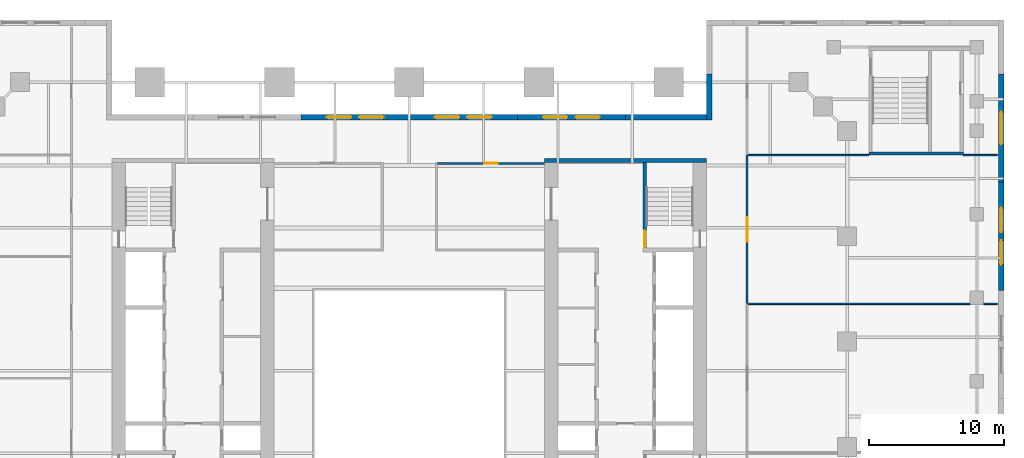
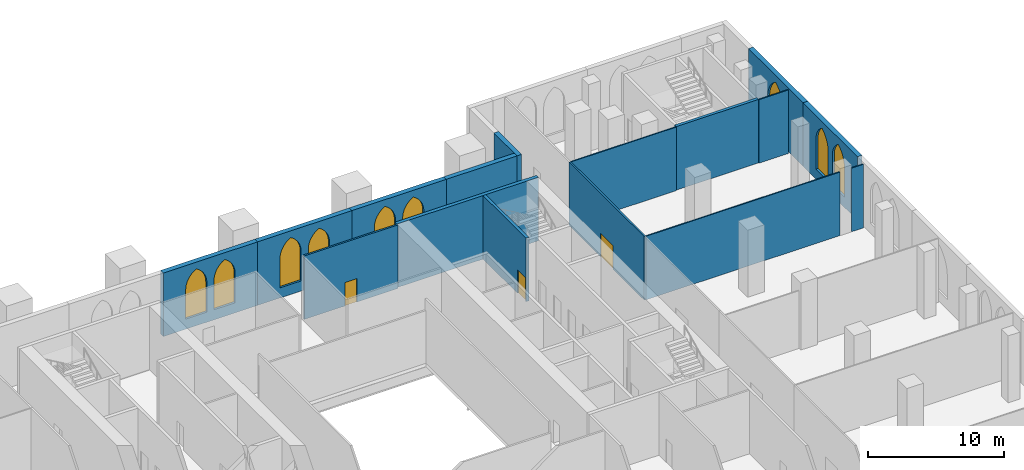
# One storey, part 16 of 21: 16 walls, 9 windows, 3 doors, 12 openings.
"""IFC4 building model written with IfcOpenShell, lengths in metres."""

from ifc_helpers import new_model, si_unit, direction, frame, frame_2d, origin, place, context, subcontext, project, spatial, polyline, rectangle, outline, extrude, material, layer, layer_set, type_object, element, fill, save


model = new_model("IFC4")

# Units and contexts
model_context = context("Model", 3, precision=1e-05, world=origin(), true_north=direction((0.0, 1.0)))
body_context = subcontext(model_context, "Body", "Model", "MODEL_VIEW")
ifc_project = project(units=[si_unit("LENGTHUNIT", "METRE"), si_unit("AREAUNIT", "SQUARE_METRE"), si_unit("VOLUMEUNIT", "CUBIC_METRE"), si_unit("PLANEANGLEUNIT", "RADIAN"), si_unit("MASSUNIT", "GRAM", prefix="KILO")], contexts=[model_context])

# Site, building, storey
site_placement = place(None, origin())
site = spatial("IfcSite", under=ifc_project, at=site_placement, CompositionType="ELEMENT")
building_placement = place(site_placement, origin())
building = spatial("IfcBuilding", under=site, at=building_placement, Name="Ogive Exchange Tower", CompositionType="ELEMENT")
storey_placement = place(building_placement, frame((0.0, 0.0, 8.0)))
storey = spatial("IfcBuildingStorey", under=building, at=storey_placement, Name="L01", CompositionType="ELEMENT", Elevation=8.0)

# Wall, opening, door
ifc_material_1 = material(Name="Fire partition EI 60 150")
ifc_layer_1 = layer(ifc_material_1, 0.14990234375)
ifc_layer_set_1 = layer_set([ifc_layer_1], Name="Fire partition EI 60 150")
wall_type_1 = type_object("IfcWallType", Name="Fire partition EI 60 150", PredefinedType="PARTITIONING", material=ifc_layer_set_1)
wall_1_placement = place(storey_placement, frame((2.074951171875, 25.39990234375, 0.0), z_axis=(0.0, 0.0, 1.0), x_axis=(1.0, 0.0, 0.0)))
wall_1 = element("IfcWall", 1, at=wall_1_placement, inside=storey, type_object=wall_type_1, Name="L01-PWL-036", PredefinedType="PARTITIONING", context=body_context, shape_type="SweptSolid", body=[
    extrude(rectangle(XDim=7.925048828125, YDim=0.14990234375, at=frame_2d((3.96240234375, 0.0))), origin(), (0.0, 0.0, 1.0), 5.699951171875),
])
opening_1_placement = place(wall_1_placement, frame((3.46240234375, 0.0, 0.0)))
opening_1 = element("IfcOpeningElement", 2, at=opening_1_placement, cuts=wall_1, Name="Opening L01-I25", PredefinedType="OPENING", context=body_context, shape_type="SweptSolid", body=[
    extrude(rectangle(XDim=1.0, YDim=2.10009765625, at=frame_2d((0.5, 1.050048828125))), frame((0.0, 0.0849609375, 0.0), z_axis=(0.0, -1.0, 0.0), x_axis=(1.0, 0.0, 0.0)), (0.0, 0.0, 1.0), 0.169921875),
])
ifc_material_2 = material(Name="Fire door FD 30S 1000 x 2100")
door_type_1 = type_object("IfcDoorType", Name="Fire door FD 30S 1000 x 2100", OperationType="NOTDEFINED", PredefinedType="DOOR", material=ifc_material_2)
door_1_placement = place(opening_1_placement, frame((1.0, 0.0, 0.0), z_axis=(0.0, 0.0, 1.0), x_axis=(-1.0, 0.0, 0.0)))
door_1 = element("IfcDoor", 3, at=door_1_placement, inside=storey, type_object=door_type_1, Name="L01-IDR-025", ObjectType="DT3", OperationType="SINGLE_SWING_LEFT", OverallHeight=2.10009765625, OverallWidth=1.0, PredefinedType="DOOR", context=body_context, shape_type="SweptSolid", body=[
    extrude(rectangle(XDim=1.0, YDim=2.10009765625, at=frame_2d((0.5, 1.050048828125))), frame((0.0, 0.02490234375, 0.0), z_axis=(0.0, -1.0, 0.0), x_axis=(1.0, 0.0, 0.0)), (0.0, 0.0, 1.0), 0.050048828125),
])
fill(opening_1, door_1)

wall_2_placement = place(storey_placement, frame((25.0, 15.0, 0.0), z_axis=(0.0, 0.0, 1.0), x_axis=(0.0, 1.0, 0.0)))
wall_2 = element("IfcWall", 4, at=wall_2_placement, inside=storey, type_object=wall_type_1, Name="L01-PWL-064", PredefinedType="PARTITIONING", context=body_context, shape_type="SweptSolid", body=[
    extrude(rectangle(XDim=11.0, YDim=0.14990234375, at=frame_2d((5.5, 0.0))), origin(), (0.0, 0.0, 1.0), 5.699951171875),
])
opening_2_placement = place(wall_2_placement, frame((4.60009765625, 0.0, 0.0)))
opening_2 = element("IfcOpeningElement", 5, at=opening_2_placement, cuts=wall_2, Name="Opening L01-I13", PredefinedType="OPENING", context=body_context, shape_type="SweptSolid", body=[
    extrude(rectangle(XDim=1.800048828125, YDim=2.10009765625, at=frame_2d((0.89990234375, 1.050048828125))), frame((0.0, 0.0849609375, 0.0), z_axis=(0.0, -1.0, 0.0), x_axis=(1.0, 0.0, 0.0)), (0.0, 0.0, 1.0), 0.169921875),
])
ifc_material_3 = material(Name="Fire door FD 30S 1800 x 2100")
door_type_2 = type_object("IfcDoorType", Name="Fire door FD 30S 1800 x 2100", OperationType="DOUBLE_DOOR_SINGLE_SWING", PredefinedType="DOOR", material=ifc_material_3)
door_2_placement = place(opening_2_placement, frame((1.800048828125, 0.0, 0.0), z_axis=(0.0, 0.0, 1.0), x_axis=(-1.0, 0.0, 0.0)))
door_2 = element("IfcDoor", 6, at=door_2_placement, inside=storey, type_object=door_type_2, Name="L01-IDR-013", ObjectType="DT4", OperationType="SINGLE_SWING_LEFT", OverallHeight=2.10009765625, OverallWidth=1.800048828125, PredefinedType="DOOR", context=body_context, shape_type="SweptSolid", body=[
    extrude(rectangle(XDim=1.800048828125, YDim=2.10009765625, at=frame_2d((0.89990234375, 1.050048828125))), frame((0.0, 0.02490234375, 0.0), z_axis=(0.0, -1.0, 0.0), x_axis=(1.0, 0.0, 0.0)), (0.0, 0.0, 1.0), 0.050048828125),
])
fill(opening_2, door_2)

# Wall, openings, windows
ifc_material_4 = material(Name="Precast concrete C40/50", Category="concrete")
ifc_layer_2 = layer(ifc_material_4, 0.39990234375)
ifc_layer_set_2 = layer_set([ifc_layer_2], Name="Limestone-faced wall 400")
wall_type_2 = type_object("IfcWallType", Name="Limestone-faced wall 400", PredefinedType="STANDARD", material=ifc_layer_set_2)
wall_3_placement = place(storey_placement, frame((43.800048828125, 16.0, 0.0), z_axis=(0.0, 0.0, 1.0), x_axis=(0.0, 1.0, 0.0)))
wall_3 = element("IfcWall", 7, at=wall_3_placement, inside=storey, type_object=wall_type_2, Name="Podium wall E10", PredefinedType="STANDARD", context=body_context, shape_type="SweptSolid", body=[
    extrude(rectangle(XDim=8.0, YDim=0.39990234375, at=frame_2d((4.0, 0.0))), origin(), (0.0, 0.0, 1.0), 5.699951171875),
])
opening_3_placement = place(wall_3_placement, frame((1.89990234375, 0.0, 0.89990234375)))
opening_3 = element("IfcOpeningElement", 8, at=opening_3_placement, cuts=wall_3, Name="Opening WQ420", PredefinedType="OPENING", context=body_context, shape_type="SweptSolid", body=[
    extrude(outline(polyline([(0.0, 0.0), (1.800048828125, 0.0), (1.800048828125, 2.64111328125), (1.78466796875, 2.8759765625), (1.73876953125, 3.10693359375), (1.6630859375, 3.329833984375), (1.558837890625, 3.541015625), (1.427978515625, 3.73681640625), (1.272705078125, 3.913818359375), (1.095703125, 4.069091796875), (0.89990234375, 4.199951171875), (0.704345703125, 4.069091796875), (0.52734375, 3.913818359375), (0.3720703125, 3.73681640625), (0.2412109375, 3.541015625), (0.136962890625, 3.329833984375), (0.061279296875, 3.10693359375), (0.015380859375, 2.8759765625), (0.0, 2.64111328125), (0.0, 0.0)])), frame((0.0, 0.2099609375, 0.0), z_axis=(0.0, -1.0, 0.0), x_axis=(1.0, 0.0, 0.0)), (0.0, 0.0, 1.0), 0.419921875),
])
opening_4_placement = place(wall_3_placement, frame((4.300048828125, 0.0, 0.89990234375)))
opening_4 = element("IfcOpeningElement", 9, at=opening_4_placement, cuts=wall_3, Name="Opening WQ420", PredefinedType="OPENING", context=body_context, shape_type="SweptSolid", body=[
    extrude(outline(polyline([(0.0, 0.0), (1.800048828125, 0.0), (1.800048828125, 2.64111328125), (1.78466796875, 2.8759765625), (1.73876953125, 3.10693359375), (1.6630859375, 3.329833984375), (1.558837890625, 3.541015625), (1.427978515625, 3.73681640625), (1.272705078125, 3.913818359375), (1.095703125, 4.069091796875), (0.89990234375, 4.199951171875), (0.704345703125, 4.069091796875), (0.52734375, 3.913818359375), (0.3720703125, 3.73681640625), (0.2412109375, 3.541015625), (0.136962890625, 3.329833984375), (0.061279296875, 3.10693359375), (0.015380859375, 2.8759765625), (0.0, 2.64111328125), (0.0, 0.0)])), frame((0.0, 0.2099609375, 0.0), z_axis=(0.0, -1.0, 0.0), x_axis=(1.0, 0.0, 0.0)), (0.0, 0.0, 1.0), 0.419921875),
])
ifc_material_5 = material(Name="Clear glass in bronze frame", Category="glass")
window_type_1 = type_object("IfcWindowType", Name="Podium paired lancet 1800 x 4200", PartitioningType="DOUBLE_PANEL_VERTICAL", PredefinedType="WINDOW", material=ifc_material_5)
window_1_placement = place(opening_3_placement, origin())
window_1 = element("IfcWindow", 10, at=window_1_placement, inside=storey, type_object=window_type_1, Name="Podium paired lancet E10.1", OverallHeight=4.199951171875, OverallWidth=1.800048828125, PartitioningType="DOUBLE_PANEL_VERTICAL", PredefinedType="WINDOW", context=body_context, shape_type="SweptSolid", body=[
    extrude(outline(polyline([(0.0, 0.0), (1.800048828125, 0.0), (1.800048828125, 2.64111328125), (1.78466796875, 2.8759765625), (1.73876953125, 3.10693359375), (1.6630859375, 3.329833984375), (1.558837890625, 3.541015625), (1.427978515625, 3.73681640625), (1.272705078125, 3.913818359375), (1.095703125, 4.069091796875), (0.89990234375, 4.199951171875), (0.704345703125, 4.069091796875), (0.52734375, 3.913818359375), (0.3720703125, 3.73681640625), (0.2412109375, 3.541015625), (0.136962890625, 3.329833984375), (0.061279296875, 3.10693359375), (0.015380859375, 2.8759765625), (0.0, 2.64111328125), (0.0, 0.0)])), frame((0.0, 0.030029296875, 0.0), z_axis=(0.0, -1.0, 0.0), x_axis=(1.0, 0.0, 0.0)), (0.0, 0.0, 1.0), 0.06005859375),
])
fill(opening_3, window_1)
window_2_placement = place(opening_4_placement, origin())
window_2 = element("IfcWindow", 11, at=window_2_placement, inside=storey, type_object=window_type_1, Name="Podium paired lancet E10.2", OverallHeight=4.199951171875, OverallWidth=1.800048828125, PartitioningType="DOUBLE_PANEL_VERTICAL", PredefinedType="WINDOW", context=body_context, shape_type="SweptSolid", body=[
    extrude(outline(polyline([(0.0, 0.0), (1.800048828125, 0.0), (1.800048828125, 2.64111328125), (1.78466796875, 2.8759765625), (1.73876953125, 3.10693359375), (1.6630859375, 3.329833984375), (1.558837890625, 3.541015625), (1.427978515625, 3.73681640625), (1.272705078125, 3.913818359375), (1.095703125, 4.069091796875), (0.89990234375, 4.199951171875), (0.704345703125, 4.069091796875), (0.52734375, 3.913818359375), (0.3720703125, 3.73681640625), (0.2412109375, 3.541015625), (0.136962890625, 3.329833984375), (0.061279296875, 3.10693359375), (0.015380859375, 2.8759765625), (0.0, 2.64111328125), (0.0, 0.0)])), frame((0.0, 0.030029296875, 0.0), z_axis=(0.0, -1.0, 0.0), x_axis=(1.0, 0.0, 0.0)), (0.0, 0.0, 1.0), 0.06005859375),
])
fill(opening_4, window_2)

# Wall, opening, window
wall_4_placement = place(storey_placement, frame((43.800048828125, 24.0, 0.0), z_axis=(0.0, 0.0, 1.0), x_axis=(0.0, 1.0, 0.0)))
wall_4 = element("IfcWall", 12, at=wall_4_placement, inside=storey, type_object=wall_type_2, Name="Podium wall E11", PredefinedType="STANDARD", context=body_context, shape_type="SweptSolid", body=[
    extrude(rectangle(XDim=8.0, YDim=0.39990234375, at=frame_2d((4.0, 0.0))), origin(), (0.0, 0.0, 1.0), 5.699951171875),
])
opening_5_placement = place(wall_4_placement, frame((2.800048828125, 0.0, 0.89990234375)))
opening_5 = element("IfcOpeningElement", 13, at=opening_5_placement, cuts=wall_4, Name="Opening WP420", PredefinedType="OPENING", context=body_context, shape_type="SweptSolid", body=[
    extrude(outline(polyline([(0.0, 0.0), (2.39990234375, 0.0), (2.39990234375, 2.12158203125), (2.37939453125, 2.434814453125), (2.318115234375, 2.74267578125), (2.21728515625, 3.0400390625), (2.078369140625, 3.321533203125), (1.904052734375, 3.58251953125), (1.697021484375, 3.818603515625), (1.4609375, 4.025634765625), (1.199951171875, 4.199951171875), (0.93896484375, 4.025634765625), (0.702880859375, 3.818603515625), (0.495849609375, 3.58251953125), (0.321533203125, 3.321533203125), (0.1826171875, 3.0400390625), (0.081787109375, 2.74267578125), (0.0205078125, 2.434814453125), (0.0, 2.12158203125), (0.0, 0.0)])), frame((0.0, 0.2099609375, 0.0), z_axis=(0.0, -1.0, 0.0), x_axis=(1.0, 0.0, 0.0)), (0.0, 0.0, 1.0), 0.419921875),
])
window_type_2 = type_object("IfcWindowType", Name="Podium lancet window 2400 x 4200", PartitioningType="DOUBLE_PANEL_VERTICAL", PredefinedType="WINDOW", material=ifc_material_5)
window_3_placement = place(opening_5_placement, origin())
window_3 = element("IfcWindow", 14, at=window_3_placement, inside=storey, type_object=window_type_2, Name="Podium window E11", OverallHeight=4.199951171875, OverallWidth=2.39990234375, PartitioningType="DOUBLE_PANEL_VERTICAL", PredefinedType="WINDOW", context=body_context, shape_type="SweptSolid", body=[
    extrude(outline(polyline([(0.0, 0.0), (2.39990234375, 0.0), (2.39990234375, 2.12158203125), (2.37939453125, 2.434814453125), (2.318115234375, 2.74267578125), (2.21728515625, 3.0400390625), (2.078369140625, 3.321533203125), (1.904052734375, 3.58251953125), (1.697021484375, 3.818603515625), (1.4609375, 4.025634765625), (1.199951171875, 4.199951171875), (0.93896484375, 4.025634765625), (0.702880859375, 3.818603515625), (0.495849609375, 3.58251953125), (0.321533203125, 3.321533203125), (0.1826171875, 3.0400390625), (0.081787109375, 2.74267578125), (0.0205078125, 2.434814453125), (0.0, 2.12158203125), (0.0, 0.0)])), frame((0.0, 0.030029296875, 0.0), z_axis=(0.0, -1.0, 0.0), x_axis=(1.0, 0.0, 0.0)), (0.0, 0.0, 1.0), 0.06005859375),
])
fill(opening_5, window_3)

# Walls
wall_5_placement = place(storey_placement, frame((22.199951171875, 32.0, 0.0), z_axis=(0.0, 0.0, 1.0), x_axis=(0.0, -1.0, 0.0)))
element("IfcWall", 15, at=wall_5_placement, inside=storey, type_object=wall_type_2, Name="Podium wall K2", PredefinedType="STANDARD", context=body_context, shape_type="SweptSolid", body=[
    extrude(rectangle(XDim=3.39990234375, YDim=0.39990234375, at=frame_2d((1.699951171875, 0.0))), origin(), (0.0, 0.0, 1.0), 5.699951171875),
])
wall_6_placement = place(storey_placement, frame((22.0, 28.800048828125, 0.0), z_axis=(0.0, 0.0, 1.0), x_axis=(-1.0, 0.0, 0.0)))
element("IfcWall", 16, at=wall_6_placement, inside=storey, type_object=wall_type_2, Name="Podium wall B1", PredefinedType="STANDARD", context=body_context, shape_type="SweptSolid", body=[
    extrude(rectangle(XDim=6.0, YDim=0.39990234375, at=frame_2d((3.0, 0.0))), origin(), (0.0, 0.0, 1.0), 5.699951171875),
])

# Wall, openings, windows
wall_7_placement = place(storey_placement, frame((16.0, 28.800048828125, 0.0), z_axis=(0.0, 0.0, 1.0), x_axis=(-1.0, 0.0, 0.0)))
wall_7 = element("IfcWall", 17, at=wall_7_placement, inside=storey, type_object=wall_type_2, Name="Podium wall B2", PredefinedType="STANDARD", context=body_context, shape_type="SweptSolid", body=[
    extrude(rectangle(XDim=8.0, YDim=0.39990234375, at=frame_2d((4.0, 0.0))), origin(), (0.0, 0.0, 1.0), 5.699951171875),
])
opening_6_placement = place(wall_7_placement, frame((1.89990234375, 0.0, 0.89990234375)))
opening_6 = element("IfcOpeningElement", 18, at=opening_6_placement, cuts=wall_7, Name="Opening WQ420", PredefinedType="OPENING", context=body_context, shape_type="SweptSolid", body=[
    extrude(outline(polyline([(0.0, 0.0), (1.800048828125, 0.0), (1.800048828125, 2.64111328125), (1.78466796875, 2.8759765625), (1.73876953125, 3.10693359375), (1.6630859375, 3.329833984375), (1.558837890625, 3.541015625), (1.427978515625, 3.73681640625), (1.272705078125, 3.913818359375), (1.095703125, 4.069091796875), (0.89990234375, 4.199951171875), (0.704345703125, 4.069091796875), (0.52734375, 3.913818359375), (0.3720703125, 3.73681640625), (0.2412109375, 3.541015625), (0.136962890625, 3.329833984375), (0.061279296875, 3.10693359375), (0.015380859375, 2.8759765625), (0.0, 2.64111328125), (0.0, 0.0)])), frame((0.0, 0.2099609375, 0.0), z_axis=(0.0, -1.0, 0.0), x_axis=(1.0, 0.0, 0.0)), (0.0, 0.0, 1.0), 0.419921875),
])
opening_7_placement = place(wall_7_placement, frame((4.300048828125, 0.0, 0.89990234375)))
opening_7 = element("IfcOpeningElement", 19, at=opening_7_placement, cuts=wall_7, Name="Opening WQ420", PredefinedType="OPENING", context=body_context, shape_type="SweptSolid", body=[
    extrude(outline(polyline([(0.0, 0.0), (1.800048828125, 0.0), (1.800048828125, 2.64111328125), (1.78466796875, 2.8759765625), (1.73876953125, 3.10693359375), (1.6630859375, 3.329833984375), (1.558837890625, 3.541015625), (1.427978515625, 3.73681640625), (1.272705078125, 3.913818359375), (1.095703125, 4.069091796875), (0.89990234375, 4.199951171875), (0.704345703125, 4.069091796875), (0.52734375, 3.913818359375), (0.3720703125, 3.73681640625), (0.2412109375, 3.541015625), (0.136962890625, 3.329833984375), (0.061279296875, 3.10693359375), (0.015380859375, 2.8759765625), (0.0, 2.64111328125), (0.0, 0.0)])), frame((0.0, 0.2099609375, 0.0), z_axis=(0.0, -1.0, 0.0), x_axis=(1.0, 0.0, 0.0)), (0.0, 0.0, 1.0), 0.419921875),
])
window_4_placement = place(opening_6_placement, origin())
window_4 = element("IfcWindow", 20, at=window_4_placement, inside=storey, type_object=window_type_1, Name="Podium paired lancet B2.1", OverallHeight=4.199951171875, OverallWidth=1.800048828125, PartitioningType="DOUBLE_PANEL_VERTICAL", PredefinedType="WINDOW", context=body_context, shape_type="SweptSolid", body=[
    extrude(outline(polyline([(0.0, 0.0), (1.800048828125, 0.0), (1.800048828125, 2.64111328125), (1.78466796875, 2.8759765625), (1.73876953125, 3.10693359375), (1.6630859375, 3.329833984375), (1.558837890625, 3.541015625), (1.427978515625, 3.73681640625), (1.272705078125, 3.913818359375), (1.095703125, 4.069091796875), (0.89990234375, 4.199951171875), (0.704345703125, 4.069091796875), (0.52734375, 3.913818359375), (0.3720703125, 3.73681640625), (0.2412109375, 3.541015625), (0.136962890625, 3.329833984375), (0.061279296875, 3.10693359375), (0.015380859375, 2.8759765625), (0.0, 2.64111328125), (0.0, 0.0)])), frame((0.0, 0.030029296875, 0.0), z_axis=(0.0, -1.0, 0.0), x_axis=(1.0, 0.0, 0.0)), (0.0, 0.0, 1.0), 0.06005859375),
])
fill(opening_6, window_4)
window_5_placement = place(opening_7_placement, origin())
window_5 = element("IfcWindow", 21, at=window_5_placement, inside=storey, type_object=window_type_1, Name="Podium paired lancet B2.2", OverallHeight=4.199951171875, OverallWidth=1.800048828125, PartitioningType="DOUBLE_PANEL_VERTICAL", PredefinedType="WINDOW", context=body_context, shape_type="SweptSolid", body=[
    extrude(outline(polyline([(0.0, 0.0), (1.800048828125, 0.0), (1.800048828125, 2.64111328125), (1.78466796875, 2.8759765625), (1.73876953125, 3.10693359375), (1.6630859375, 3.329833984375), (1.558837890625, 3.541015625), (1.427978515625, 3.73681640625), (1.272705078125, 3.913818359375), (1.095703125, 4.069091796875), (0.89990234375, 4.199951171875), (0.704345703125, 4.069091796875), (0.52734375, 3.913818359375), (0.3720703125, 3.73681640625), (0.2412109375, 3.541015625), (0.136962890625, 3.329833984375), (0.061279296875, 3.10693359375), (0.015380859375, 2.8759765625), (0.0, 2.64111328125), (0.0, 0.0)])), frame((0.0, 0.030029296875, 0.0), z_axis=(0.0, -1.0, 0.0), x_axis=(1.0, 0.0, 0.0)), (0.0, 0.0, 1.0), 0.06005859375),
])
fill(opening_7, window_5)

wall_8_placement = place(storey_placement, frame((8.0, 28.800048828125, 0.0), z_axis=(0.0, 0.0, 1.0), x_axis=(-1.0, 0.0, 0.0)))
wall_8 = element("IfcWall", 22, at=wall_8_placement, inside=storey, type_object=wall_type_2, Name="Podium wall B3", PredefinedType="STANDARD", context=body_context, shape_type="SweptSolid", body=[
    extrude(rectangle(XDim=8.0, YDim=0.39990234375, at=frame_2d((4.0, 0.0))), origin(), (0.0, 0.0, 1.0), 5.699951171875),
])
opening_8_placement = place(wall_8_placement, frame((1.89990234375, 0.0, 0.89990234375)))
opening_8 = element("IfcOpeningElement", 23, at=opening_8_placement, cuts=wall_8, Name="Opening WQ420", PredefinedType="OPENING", context=body_context, shape_type="SweptSolid", body=[
    extrude(outline(polyline([(0.0, 0.0), (1.800048828125, 0.0), (1.800048828125, 2.64111328125), (1.78466796875, 2.8759765625), (1.73876953125, 3.10693359375), (1.6630859375, 3.329833984375), (1.558837890625, 3.541015625), (1.427978515625, 3.73681640625), (1.272705078125, 3.913818359375), (1.095703125, 4.069091796875), (0.89990234375, 4.199951171875), (0.704345703125, 4.069091796875), (0.52734375, 3.913818359375), (0.3720703125, 3.73681640625), (0.2412109375, 3.541015625), (0.136962890625, 3.329833984375), (0.061279296875, 3.10693359375), (0.015380859375, 2.8759765625), (0.0, 2.64111328125), (0.0, 0.0)])), frame((0.0, 0.2099609375, 0.0), z_axis=(0.0, -1.0, 0.0), x_axis=(1.0, 0.0, 0.0)), (0.0, 0.0, 1.0), 0.419921875),
])
opening_9_placement = place(wall_8_placement, frame((4.300048828125, 0.0, 0.89990234375)))
opening_9 = element("IfcOpeningElement", 24, at=opening_9_placement, cuts=wall_8, Name="Opening WQ420", PredefinedType="OPENING", context=body_context, shape_type="SweptSolid", body=[
    extrude(outline(polyline([(0.0, 0.0), (1.800048828125, 0.0), (1.800048828125, 2.64111328125), (1.78466796875, 2.8759765625), (1.73876953125, 3.10693359375), (1.6630859375, 3.329833984375), (1.558837890625, 3.541015625), (1.427978515625, 3.73681640625), (1.272705078125, 3.913818359375), (1.095703125, 4.069091796875), (0.89990234375, 4.199951171875), (0.704345703125, 4.069091796875), (0.52734375, 3.913818359375), (0.3720703125, 3.73681640625), (0.2412109375, 3.541015625), (0.136962890625, 3.329833984375), (0.061279296875, 3.10693359375), (0.015380859375, 2.8759765625), (0.0, 2.64111328125), (0.0, 0.0)])), frame((0.0, 0.2099609375, 0.0), z_axis=(0.0, -1.0, 0.0), x_axis=(1.0, 0.0, 0.0)), (0.0, 0.0, 1.0), 0.419921875),
])
window_6_placement = place(opening_8_placement, origin())
window_6 = element("IfcWindow", 25, at=window_6_placement, inside=storey, type_object=window_type_1, Name="Podium paired lancet B3.1", OverallHeight=4.199951171875, OverallWidth=1.800048828125, PartitioningType="DOUBLE_PANEL_VERTICAL", PredefinedType="WINDOW", context=body_context, shape_type="SweptSolid", body=[
    extrude(outline(polyline([(0.0, 0.0), (1.800048828125, 0.0), (1.800048828125, 2.64111328125), (1.78466796875, 2.8759765625), (1.73876953125, 3.10693359375), (1.6630859375, 3.329833984375), (1.558837890625, 3.541015625), (1.427978515625, 3.73681640625), (1.272705078125, 3.913818359375), (1.095703125, 4.069091796875), (0.89990234375, 4.199951171875), (0.704345703125, 4.069091796875), (0.52734375, 3.913818359375), (0.3720703125, 3.73681640625), (0.2412109375, 3.541015625), (0.136962890625, 3.329833984375), (0.061279296875, 3.10693359375), (0.015380859375, 2.8759765625), (0.0, 2.64111328125), (0.0, 0.0)])), frame((0.0, 0.030029296875, 0.0), z_axis=(0.0, -1.0, 0.0), x_axis=(1.0, 0.0, 0.0)), (0.0, 0.0, 1.0), 0.06005859375),
])
fill(opening_8, window_6)
window_7_placement = place(opening_9_placement, origin())
window_7 = element("IfcWindow", 26, at=window_7_placement, inside=storey, type_object=window_type_1, Name="Podium paired lancet B3.2", OverallHeight=4.199951171875, OverallWidth=1.800048828125, PartitioningType="DOUBLE_PANEL_VERTICAL", PredefinedType="WINDOW", context=body_context, shape_type="SweptSolid", body=[
    extrude(outline(polyline([(0.0, 0.0), (1.800048828125, 0.0), (1.800048828125, 2.64111328125), (1.78466796875, 2.8759765625), (1.73876953125, 3.10693359375), (1.6630859375, 3.329833984375), (1.558837890625, 3.541015625), (1.427978515625, 3.73681640625), (1.272705078125, 3.913818359375), (1.095703125, 4.069091796875), (0.89990234375, 4.199951171875), (0.704345703125, 4.069091796875), (0.52734375, 3.913818359375), (0.3720703125, 3.73681640625), (0.2412109375, 3.541015625), (0.136962890625, 3.329833984375), (0.061279296875, 3.10693359375), (0.015380859375, 2.8759765625), (0.0, 2.64111328125), (0.0, 0.0)])), frame((0.0, 0.030029296875, 0.0), z_axis=(0.0, -1.0, 0.0), x_axis=(1.0, 0.0, 0.0)), (0.0, 0.0, 1.0), 0.06005859375),
])
fill(opening_9, window_7)

wall_9_placement = place(storey_placement, frame((0.0, 28.800048828125, 0.0), z_axis=(0.0, 0.0, 1.0), x_axis=(-1.0, 0.0, 0.0)))
wall_9 = element("IfcWall", 27, at=wall_9_placement, inside=storey, type_object=wall_type_2, Name="Podium wall B4", PredefinedType="STANDARD", context=body_context, shape_type="SweptSolid", body=[
    extrude(rectangle(XDim=8.0, YDim=0.39990234375, at=frame_2d((4.0, 0.0))), origin(), (0.0, 0.0, 1.0), 5.699951171875),
])
opening_10_placement = place(wall_9_placement, frame((1.89990234375, 0.0, 0.89990234375)))
opening_10 = element("IfcOpeningElement", 28, at=opening_10_placement, cuts=wall_9, Name="Opening WQ420", PredefinedType="OPENING", context=body_context, shape_type="SweptSolid", body=[
    extrude(outline(polyline([(0.0, 0.0), (1.800048828125, 0.0), (1.800048828125, 2.64111328125), (1.78466796875, 2.8759765625), (1.73876953125, 3.10693359375), (1.6630859375, 3.329833984375), (1.558837890625, 3.541015625), (1.427978515625, 3.73681640625), (1.272705078125, 3.913818359375), (1.095703125, 4.069091796875), (0.89990234375, 4.199951171875), (0.704345703125, 4.069091796875), (0.52734375, 3.913818359375), (0.3720703125, 3.73681640625), (0.2412109375, 3.541015625), (0.136962890625, 3.329833984375), (0.061279296875, 3.10693359375), (0.015380859375, 2.8759765625), (0.0, 2.64111328125), (0.0, 0.0)])), frame((0.0, 0.2099609375, 0.0), z_axis=(0.0, -1.0, 0.0), x_axis=(1.0, 0.0, 0.0)), (0.0, 0.0, 1.0), 0.419921875),
])
opening_11_placement = place(wall_9_placement, frame((4.300048828125, 0.0, 0.89990234375)))
opening_11 = element("IfcOpeningElement", 29, at=opening_11_placement, cuts=wall_9, Name="Opening WQ420", PredefinedType="OPENING", context=body_context, shape_type="SweptSolid", body=[
    extrude(outline(polyline([(0.0, 0.0), (1.800048828125, 0.0), (1.800048828125, 2.64111328125), (1.78466796875, 2.8759765625), (1.73876953125, 3.10693359375), (1.6630859375, 3.329833984375), (1.558837890625, 3.541015625), (1.427978515625, 3.73681640625), (1.272705078125, 3.913818359375), (1.095703125, 4.069091796875), (0.89990234375, 4.199951171875), (0.704345703125, 4.069091796875), (0.52734375, 3.913818359375), (0.3720703125, 3.73681640625), (0.2412109375, 3.541015625), (0.136962890625, 3.329833984375), (0.061279296875, 3.10693359375), (0.015380859375, 2.8759765625), (0.0, 2.64111328125), (0.0, 0.0)])), frame((0.0, 0.2099609375, 0.0), z_axis=(0.0, -1.0, 0.0), x_axis=(1.0, 0.0, 0.0)), (0.0, 0.0, 1.0), 0.419921875),
])
window_8_placement = place(opening_10_placement, origin())
window_8 = element("IfcWindow", 30, at=window_8_placement, inside=storey, type_object=window_type_1, Name="Podium paired lancet B4.1", OverallHeight=4.199951171875, OverallWidth=1.800048828125, PartitioningType="DOUBLE_PANEL_VERTICAL", PredefinedType="WINDOW", context=body_context, shape_type="SweptSolid", body=[
    extrude(outline(polyline([(0.0, 0.0), (1.800048828125, 0.0), (1.800048828125, 2.64111328125), (1.78466796875, 2.8759765625), (1.73876953125, 3.10693359375), (1.6630859375, 3.329833984375), (1.558837890625, 3.541015625), (1.427978515625, 3.73681640625), (1.272705078125, 3.913818359375), (1.095703125, 4.069091796875), (0.89990234375, 4.199951171875), (0.704345703125, 4.069091796875), (0.52734375, 3.913818359375), (0.3720703125, 3.73681640625), (0.2412109375, 3.541015625), (0.136962890625, 3.329833984375), (0.061279296875, 3.10693359375), (0.015380859375, 2.8759765625), (0.0, 2.64111328125), (0.0, 0.0)])), frame((0.0, 0.030029296875, 0.0), z_axis=(0.0, -1.0, 0.0), x_axis=(1.0, 0.0, 0.0)), (0.0, 0.0, 1.0), 0.06005859375),
])
fill(opening_10, window_8)
window_9_placement = place(opening_11_placement, origin())
window_9 = element("IfcWindow", 31, at=window_9_placement, inside=storey, type_object=window_type_1, Name="Podium paired lancet B4.2", OverallHeight=4.199951171875, OverallWidth=1.800048828125, PartitioningType="DOUBLE_PANEL_VERTICAL", PredefinedType="WINDOW", context=body_context, shape_type="SweptSolid", body=[
    extrude(outline(polyline([(0.0, 0.0), (1.800048828125, 0.0), (1.800048828125, 2.64111328125), (1.78466796875, 2.8759765625), (1.73876953125, 3.10693359375), (1.6630859375, 3.329833984375), (1.558837890625, 3.541015625), (1.427978515625, 3.73681640625), (1.272705078125, 3.913818359375), (1.095703125, 4.069091796875), (0.89990234375, 4.199951171875), (0.704345703125, 4.069091796875), (0.52734375, 3.913818359375), (0.3720703125, 3.73681640625), (0.2412109375, 3.541015625), (0.136962890625, 3.329833984375), (0.061279296875, 3.10693359375), (0.015380859375, 2.8759765625), (0.0, 2.64111328125), (0.0, 0.0)])), frame((0.0, 0.030029296875, 0.0), z_axis=(0.0, -1.0, 0.0), x_axis=(1.0, 0.0, 0.0)), (0.0, 0.0, 1.0), 0.06005859375),
])
fill(opening_11, window_9)

# Walls
ifc_material_6 = material(Name="Partition 100 gypsum")
ifc_layer_3 = layer(ifc_material_6, 0.10009765625)
ifc_layer_set_3 = layer_set([ifc_layer_3], Name="Partition 100 gypsum")
wall_type_3 = type_object("IfcWallType", Name="Partition 100 gypsum", PredefinedType="PARTITIONING", material=ifc_layer_set_3)
wall_10_placement = place(storey_placement, frame((25.074951171875, 15.0, 0.0), z_axis=(0.0, 0.0, 1.0), x_axis=(1.0, 0.0, 0.0)))
element("IfcWall", 32, at=wall_10_placement, inside=storey, type_object=wall_type_3, Name="L01-PWL-030", PredefinedType="PARTITIONING", context=body_context, shape_type="SweptSolid", body=[
    extrude(rectangle(XDim=16.425048828125, YDim=0.10009765625, at=frame_2d((8.21240234375, 0.0))), origin(), (0.0, 0.0, 1.0), 5.699951171875),
])
wall_11_placement = place(storey_placement, frame((42.5, 15.0, 0.0), z_axis=(0.0, 0.0, 1.0), x_axis=(1.0, 0.0, 0.0)))
element("IfcWall", 33, at=wall_11_placement, inside=storey, type_object=wall_type_3, Name="L01-PWL-031", PredefinedType="PARTITIONING", context=body_context, shape_type="SweptSolid", body=[
    extrude(rectangle(XDim=1.0, YDim=0.10009765625, at=frame_2d((0.5, 0.0))), origin(), (0.0, 0.0, 1.0), 5.699951171875),
])
wall_12_placement = place(storey_placement, frame((25.074951171875, 26.0, 0.0), z_axis=(0.0, 0.0, 1.0), x_axis=(1.0, 0.0, 0.0)))
element("IfcWall", 34, at=wall_12_placement, inside=storey, type_object=wall_type_3, Name="L01-PWL-039", PredefinedType="PARTITIONING", context=body_context, shape_type="SweptSolid", body=[
    extrude(rectangle(XDim=8.925048828125, YDim=0.10009765625, at=frame_2d((4.46240234375, 0.0))), origin(), (0.0, 0.0, 1.0), 5.699951171875),
])
wall_13_placement = place(storey_placement, frame((41.0, 26.0, 0.0), z_axis=(0.0, 0.0, 1.0), x_axis=(1.0, 0.0, 0.0)))
element("IfcWall", 35, at=wall_13_placement, inside=storey, type_object=wall_type_3, Name="L01-PWL-040", PredefinedType="PARTITIONING", context=body_context, shape_type="SweptSolid", body=[
    extrude(rectangle(XDim=2.5, YDim=0.10009765625, at=frame_2d((1.25, 0.0))), origin(), (0.0, 0.0, 1.0), 5.699951171875),
])

# Wall, opening, door
ifc_material_7 = material(Name="Concrete C70/85", Category="concrete")
ifc_layer_4 = layer(ifc_material_7, 0.25)
ifc_layer_set_4 = layer_set([ifc_layer_4], Name="RC core wall 250 C70/85")
wall_type_4 = type_object("IfcWallType", Name="RC core wall 250 C70/85", PredefinedType="SHEAR", material=ifc_layer_set_4)
wall_14_placement = place(storey_placement, frame((17.425048828125, 19.14990234375, 0.0), z_axis=(0.0, 0.0, 1.0), x_axis=(0.0, 1.0, 0.0)))
wall_14 = element("IfcWall", 36, at=wall_14_placement, inside=storey, type_object=wall_type_4, Name="E stair N front wall", PredefinedType="SHEAR", context=body_context, shape_type="SweptSolid", body=[
    extrude(rectangle(XDim=6.300048828125, YDim=0.25, at=frame_2d((3.14990234375, 0.0))), origin(), (0.0, 0.0, 1.0), 5.699951171875),
])
opening_12_placement = place(wall_14_placement, frame((0.050048828125, 0.0, 0.0)))
opening_12 = element("IfcOpeningElement", 37, at=opening_12_placement, cuts=wall_14, Name="Opening L01-C37", PredefinedType="OPENING", context=body_context, shape_type="SweptSolid", body=[
    extrude(rectangle(XDim=1.199951171875, YDim=2.10009765625, at=frame_2d((0.60009765625, 1.050048828125))), frame((0.0, 0.135009765625, 0.0), z_axis=(0.0, -1.0, 0.0), x_axis=(1.0, 0.0, 0.0)), (0.0, 0.0, 1.0), 0.27001953125),
])
ifc_material_8 = material(Name="Steel fire door", Category="steel")
door_type_3 = type_object("IfcDoorType", Name="Stair door FD90 1200 x 2100", OperationType="NOTDEFINED", PredefinedType="DOOR", material=ifc_material_8)
door_3_placement = place(opening_12_placement, frame((1.199951171875, 0.0, 0.0), z_axis=(0.0, 0.0, 1.0), x_axis=(-1.0, 0.0, 0.0)))
door_3 = element("IfcDoor", 38, at=door_3_placement, inside=storey, type_object=door_type_3, Name="Stair door", ObjectType="CD5", OperationType="SINGLE_SWING_LEFT", OverallHeight=2.10009765625, OverallWidth=1.199951171875, PredefinedType="DOOR", context=body_context, shape_type="SweptSolid", body=[
    extrude(rectangle(XDim=1.199951171875, YDim=2.10009765625, at=frame_2d((0.60009765625, 1.050048828125))), frame((0.0, 0.02490234375, 0.0), z_axis=(0.0, -1.0, 0.0), x_axis=(1.0, 0.0, 0.0)), (0.0, 0.0, 1.0), 0.050048828125),
])
fill(opening_12, door_3)

# Walls
wall_15_placement = place(storey_placement, frame((34.0, 26.125, 0.0), z_axis=(0.0, 0.0, 1.0), x_axis=(1.0, 0.0, 0.0)))
element("IfcWall", 39, at=wall_15_placement, inside=storey, type_object=wall_type_4, Name="PS4 south wall", PredefinedType="SHEAR", context=body_context, shape_type="SweptSolid", body=[
    extrude(rectangle(XDim=7.0, YDim=0.25, at=frame_2d((3.5, 0.0))), origin(), (0.0, 0.0, 1.0), 5.699951171875),
])
ifc_layer_5 = layer(ifc_material_7, 0.300048828125)
ifc_layer_set_5 = layer_set([ifc_layer_5], Name="RC core wall 300 C70/85")
wall_type_5 = type_object("IfcWallType", Name="RC core wall 300 C70/85", PredefinedType="SHEAR", material=ifc_layer_set_5)
wall_16_placement = place(storey_placement, frame((10.0, 25.60009765625, 0.0), z_axis=(0.0, 0.0, 1.0), x_axis=(1.0, 0.0, 0.0)))
element("IfcWall", 40, at=wall_16_placement, inside=storey, type_object=wall_type_5, Name="E north end wall", PredefinedType="SHEAR", context=body_context, shape_type="SweptSolid", body=[
    extrude(rectangle(XDim=12.0, YDim=0.300048828125, at=frame_2d((6.0, 0.0))), origin(), (0.0, 0.0, 1.0), 5.699951171875),
])

save(model, "model.ifc")
